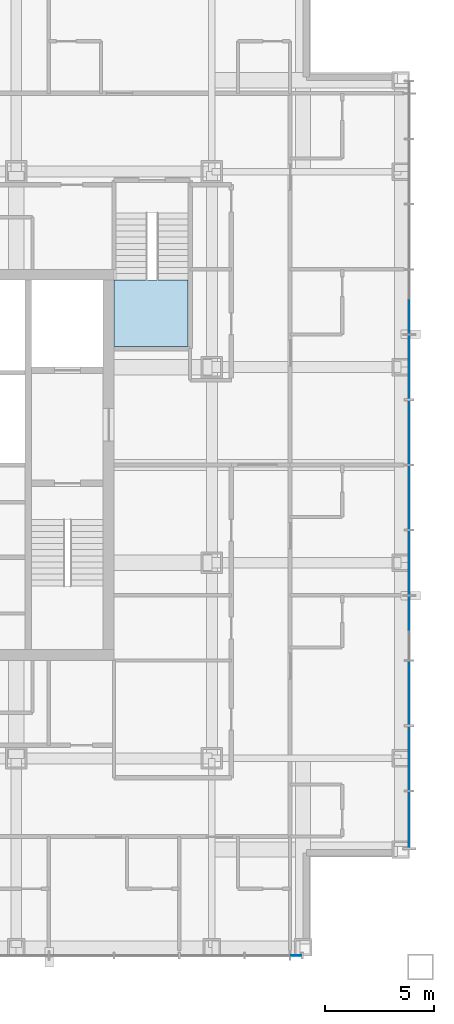
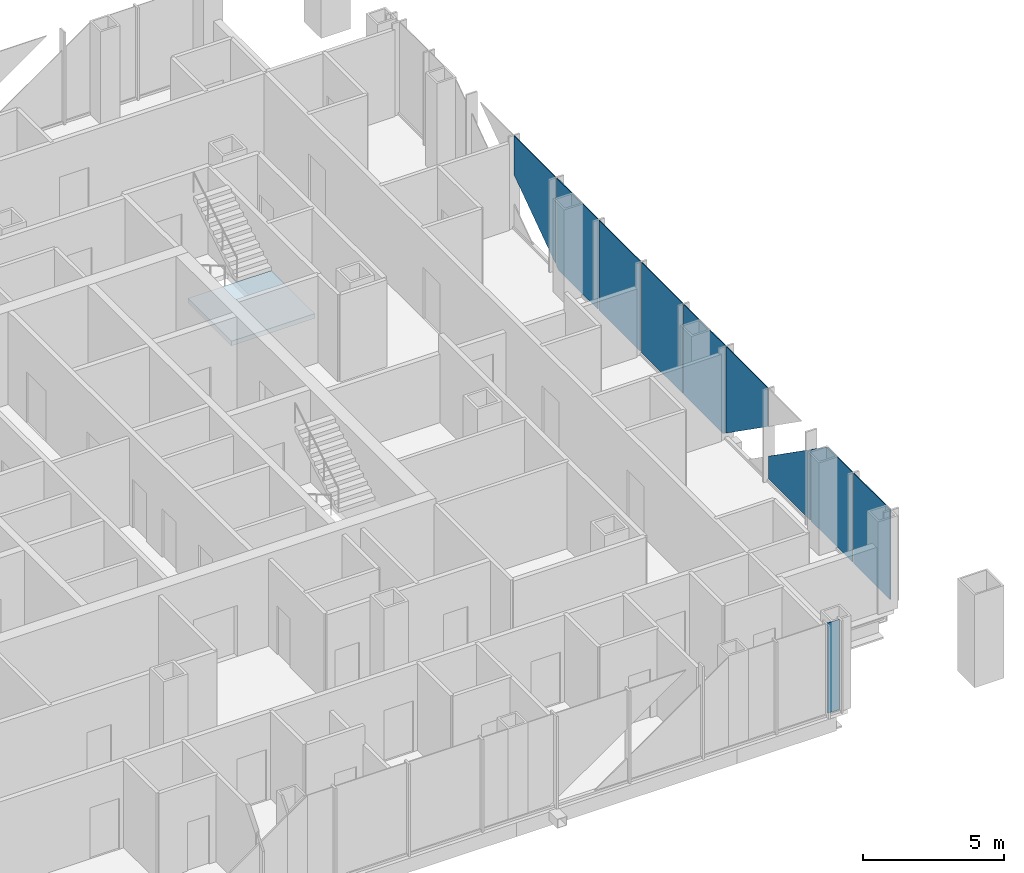
# One storey, part 8 of 16: 10 plates, 1 slab, 3 elements without a shape of their own.
"""IFC4 building model written with IfcOpenShell, lengths in metres."""

from ifc_helpers import new_model, si_unit, direction, frame, origin, origin_2d, place, context, subcontext, project, spatial, polyline, rectangle, outline, extrude, material, layer, layer_set, type_object, element, aggregate, save


model = new_model("IFC4")

# Units and contexts
model_context = context("Model", 3, precision=1e-05, world=origin(), true_north=direction((0.0, 1.0)))
body_context = subcontext(model_context, "Body", "Model", "MODEL_VIEW")
ifc_project = project(units=[si_unit("LENGTHUNIT", "METRE"), si_unit("AREAUNIT", "SQUARE_METRE"), si_unit("VOLUMEUNIT", "CUBIC_METRE"), si_unit("PLANEANGLEUNIT", "RADIAN"), si_unit("MASSUNIT", "GRAM", prefix="KILO")], contexts=[model_context])

# Site, building, storey
site_placement = place(None, origin())
site = spatial("IfcSite", under=ifc_project, at=site_placement, CompositionType="ELEMENT")
building_placement = place(site_placement, origin())
building = spatial("IfcBuilding", under=site, at=building_placement, Name="Malebo Sky Hospital", CompositionType="ELEMENT")
storey_placement = place(building_placement, frame((0.0, 0.0, 197.0)))
storey = spatial("IfcBuildingStorey", under=building, at=storey_placement, Name="L47", CompositionType="ELEMENT", Elevation=197.0)

# Stair, slab
ifc_material_1 = material(Name="Concrete C40/50", Category="concrete")
stair_type = type_object("IfcStairType", Name="HALF-TURN STAIR 1400 R167", PredefinedType="HALF_TURN_STAIR", material=ifc_material_1)
stair_placement = place(storey_placement, origin())
stair = element("IfcStair", 1, at=stair_placement, inside=storey, type_object=stair_type, Name="Stair S3 L47 type ST1B", PredefinedType="HALF_TURN_STAIR")
ifc_layer_1 = layer(ifc_material_1, 0.199951171875)
ifc_layer_set_1 = layer_set([ifc_layer_1], Name="STAIR LANDING 200")
slab_type = type_object("IfcSlabType", Name="STAIR LANDING 200", PredefinedType="LANDING", material=ifc_layer_set_1)
slab_placement = place(storey_placement, frame((0.0, 0.0, 1.800048828125)))
slab = element("IfcSlab", 2, at=slab_placement, type_object=slab_type, Name="S3 landing 2", PredefinedType="LANDING", context=body_context, shape_type="SweptSolid", body=[
    extrude(outline(polyline([(69.0, 67.449951171875), (72.39990234375, 67.449951171875), (72.39990234375, 70.52001953125), (69.0, 70.52001953125), (69.0, 67.449951171875)])), origin(), (0.0, 0.0, 1.0), 0.199951171875),
])
aggregate(stair, [slab])

# Curtain wall, plate
ifc_material_2 = material(Name="Anodised aluminium, natural silver", Category="aluminium")
ifc_layer_2 = layer(ifc_material_2, 0.25)
ifc_layer_set_2 = layer_set([ifc_layer_2], Name="WARD CURTAIN WALL NORTH AND SOUTH")
curtain_wall_type_1 = type_object("IfcCurtainWallType", Name="WARD CURTAIN WALL NORTH AND SOUTH", PredefinedType="NOTDEFINED", material=ifc_layer_set_2)
curtain_wall_1_placement = place(storey_placement, origin())
curtain_wall_1 = element("IfcCurtainWall", 3, at=curtain_wall_1_placement, inside=storey, type_object=curtain_wall_type_1, Name="NS curtain wall S", PredefinedType="NOTDEFINED")
ifc_material_3 = material(Name="Clear low-iron double glazing", Category="glass")
ifc_layer_3 = layer(ifc_material_3, 0.031982421875)
ifc_layer_set_3 = layer_set([ifc_layer_3], Name="VISION PANEL CLEAR 32")
plate_type = type_object("IfcPlateType", Name="VISION PANEL CLEAR 32", PredefinedType="CURTAIN_PANEL", material=ifc_layer_set_3)
plate_1_placement = place(storey_placement, frame((77.38134765625, 39.425048828125, 0.10009765625), z_axis=(0.0, 0.0, 1.0), x_axis=(-1.0, 0.0, 0.0)))
plate_1 = element("IfcPlate", 4, at=plate_1_placement, type_object=plate_type, Name="Panel 1", PredefinedType="CURTAIN_PANEL", context=body_context, shape_type="SweptSolid", body=[
    extrude(rectangle(XDim=0.487548828125, YDim=0.031982421875, at=origin_2d()), origin(), (0.0, 0.0, 1.0), 3.889892578125),
])
aggregate(curtain_wall_1, [plate_1])

# Curtain wall, plates
ifc_layer_4 = layer(ifc_material_2, 0.25)
ifc_layer_set_4 = layer_set([ifc_layer_4], Name="WARD CURTAIN WALL EAST AND WEST")
curtain_wall_type_2 = type_object("IfcCurtainWallType", Name="WARD CURTAIN WALL EAST AND WEST", PredefinedType="NOTDEFINED", material=ifc_layer_set_4)
curtain_wall_2_placement = place(storey_placement, origin())
curtain_wall_2 = element("IfcCurtainWall", 5, at=curtain_wall_2_placement, inside=storey, type_object=curtain_wall_type_2, Name="EW curtain wall E", PredefinedType="NOTDEFINED")
plate_2_placement = place(storey_placement, frame((82.574951171875, 69.5, 0.2578125), z_axis=(0.0, 0.0, 1.0), x_axis=(0.0, -1.0, 0.0)))
plate_2 = element("IfcPlate", 6, at=plate_2_placement, type_object=plate_type, Name="Panel 5", PredefinedType="CURTAIN_PANEL", context=body_context, shape_type="SweptSolid", body=[
    extrude(outline(polyline([(1.46240234375, 0.0), (1.46240234375, 3.732177734375), (-1.46240234375, 3.732177734375), (-1.46240234375, 2.054443359375), (1.46240234375, 0.0)])), frame((0.0, 0.01611328125, 0.0), z_axis=(0.0, -1.0, 0.0), x_axis=(1.0, 0.0, 0.0)), (0.0, 0.0, 1.0), 0.031982421875),
])
plate_3_placement = place(storey_placement, frame((82.574951171875, 66.5, 0.10009765625), z_axis=(0.0, 0.0, 1.0), x_axis=(0.0, -1.0, 0.0)))
plate_3 = element("IfcPlate", 7, at=plate_3_placement, type_object=plate_type, Name="Panel 6", PredefinedType="CURTAIN_PANEL", context=body_context, shape_type="SweptSolid", body=[
    extrude(outline(polyline([(-1.312744140625, 0.0), (1.46240234375, 0.0), (1.46240234375, 3.889892578125), (-1.46240234375, 3.889892578125), (-1.46240234375, 0.10498046875), (-1.312744140625, 0.0)])), frame((0.0, 0.01611328125, 0.0), z_axis=(0.0, -1.0, 0.0), x_axis=(1.0, 0.0, 0.0)), (0.0, 0.0, 1.0), 0.031982421875),
])
plate_4_placement = place(storey_placement, frame((82.574951171875, 63.5, 0.10009765625), z_axis=(0.0, 0.0, 1.0), x_axis=(0.0, -1.0, 0.0)))
plate_4 = element("IfcPlate", 8, at=plate_4_placement, type_object=plate_type, Name="Panel 7", PredefinedType="CURTAIN_PANEL", context=body_context, shape_type="SweptSolid", body=[
    extrude(rectangle(XDim=2.925048828125, YDim=0.031982421875, at=origin_2d()), origin(), (0.0, 0.0, 1.0), 3.889892578125),
])
plate_5_placement = place(storey_placement, frame((82.574951171875, 60.5, 0.10009765625), z_axis=(0.0, 0.0, 1.0), x_axis=(0.0, -1.0, 0.0)))
plate_5 = element("IfcPlate", 9, at=plate_5_placement, type_object=plate_type, Name="Panel 8", PredefinedType="CURTAIN_PANEL", context=body_context, shape_type="SweptSolid", body=[
    extrude(rectangle(XDim=2.925048828125, YDim=0.031982421875, at=origin_2d()), origin(), (0.0, 0.0, 1.0), 3.889892578125),
])
plate_6_placement = place(storey_placement, frame((82.574951171875, 57.5, 0.10009765625), z_axis=(0.0, 0.0, 1.0), x_axis=(0.0, -1.0, 0.0)))
plate_6 = element("IfcPlate", 10, at=plate_6_placement, type_object=plate_type, Name="Panel 9", PredefinedType="CURTAIN_PANEL", context=body_context, shape_type="SweptSolid", body=[
    extrude(outline(polyline([(-1.46240234375, 0.0), (1.312744140625, 0.0), (1.46240234375, 0.10498046875), (1.46240234375, 3.889892578125), (-1.46240234375, 3.889892578125), (-1.46240234375, 0.0)])), frame((0.0, 0.01611328125, 0.0), z_axis=(0.0, -1.0, 0.0), x_axis=(1.0, 0.0, 0.0)), (0.0, 0.0, 1.0), 0.031982421875),
])
plate_7_placement = place(storey_placement, frame((82.574951171875, 54.5, 0.2578125), z_axis=(0.0, 0.0, 1.0), x_axis=(0.0, -1.0, 0.0)))
plate_7 = element("IfcPlate", 11, at=plate_7_placement, type_object=plate_type, Name="Panel 10", PredefinedType="CURTAIN_PANEL", context=body_context, shape_type="SweptSolid", body=[
    extrude(outline(polyline([(-1.46240234375, 0.0), (1.46240234375, 2.054443359375), (1.46240234375, 3.732177734375), (-1.46240234375, 3.732177734375), (-1.46240234375, 0.0)])), frame((0.0, 0.01611328125, 0.0), z_axis=(0.0, -1.0, 0.0), x_axis=(1.0, 0.0, 0.0)), (0.0, 0.0, 1.0), 0.031982421875),
])
plate_8_placement = place(storey_placement, frame((82.574951171875, 51.5, 0.099853515625), z_axis=(0.0, 0.0, 1.0), x_axis=(0.0, -1.0, 0.0)))
plate_8 = element("IfcPlate", 12, at=plate_8_placement, type_object=plate_type, Name="Panel 11", PredefinedType="CURTAIN_PANEL", context=body_context, shape_type="SweptSolid", body=[
    extrude(outline(polyline([(-1.46240234375, 0.0), (1.46240234375, 0.0), (1.46240234375, 3.03515625), (-1.46240234375, 0.980712890625), (-1.46240234375, 0.0)])), frame((0.0, 0.01611328125, 0.0), z_axis=(0.0, -1.0, 0.0), x_axis=(1.0, 0.0, 0.0)), (0.0, 0.0, 1.0), 0.031982421875),
])
plate_9_placement = place(storey_placement, frame((82.574951171875, 48.5, 0.10009765625), z_axis=(0.0, 0.0, 1.0), x_axis=(0.0, -1.0, 0.0)))
plate_9 = element("IfcPlate", 13, at=plate_9_placement, type_object=plate_type, Name="Panel 12", PredefinedType="CURTAIN_PANEL", context=body_context, shape_type="SweptSolid", body=[
    extrude(outline(polyline([(-1.46240234375, 0.0), (1.46240234375, 0.0), (1.46240234375, 3.889892578125), (-0.3203125, 3.889892578125), (-1.46240234375, 3.087890625), (-1.46240234375, 0.0)])), frame((0.0, 0.01611328125, 0.0), z_axis=(0.0, -1.0, 0.0), x_axis=(1.0, 0.0, 0.0)), (0.0, 0.0, 1.0), 0.031982421875),
])
plate_10_placement = place(storey_placement, frame((82.574951171875, 45.668701171875, 0.10009765625), z_axis=(0.0, 0.0, 1.0), x_axis=(0.0, -1.0, 0.0)))
plate_10 = element("IfcPlate", 14, at=plate_10_placement, type_object=plate_type, Name="Panel 13", PredefinedType="CURTAIN_PANEL", context=body_context, shape_type="SweptSolid", body=[
    extrude(rectangle(XDim=2.58740234375, YDim=0.031982421875, at=origin_2d()), origin(), (0.0, 0.0, 1.0), 3.889892578125),
])
aggregate(curtain_wall_2, [plate_2, plate_3, plate_4, plate_5, plate_6, plate_7, plate_8, plate_9, plate_10])

save(model, "model.ifc")
